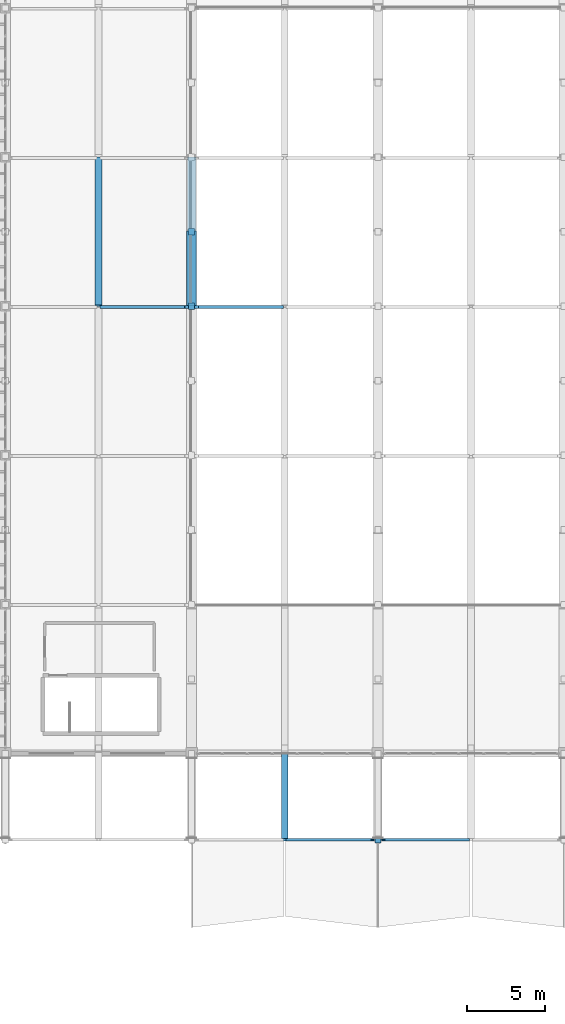
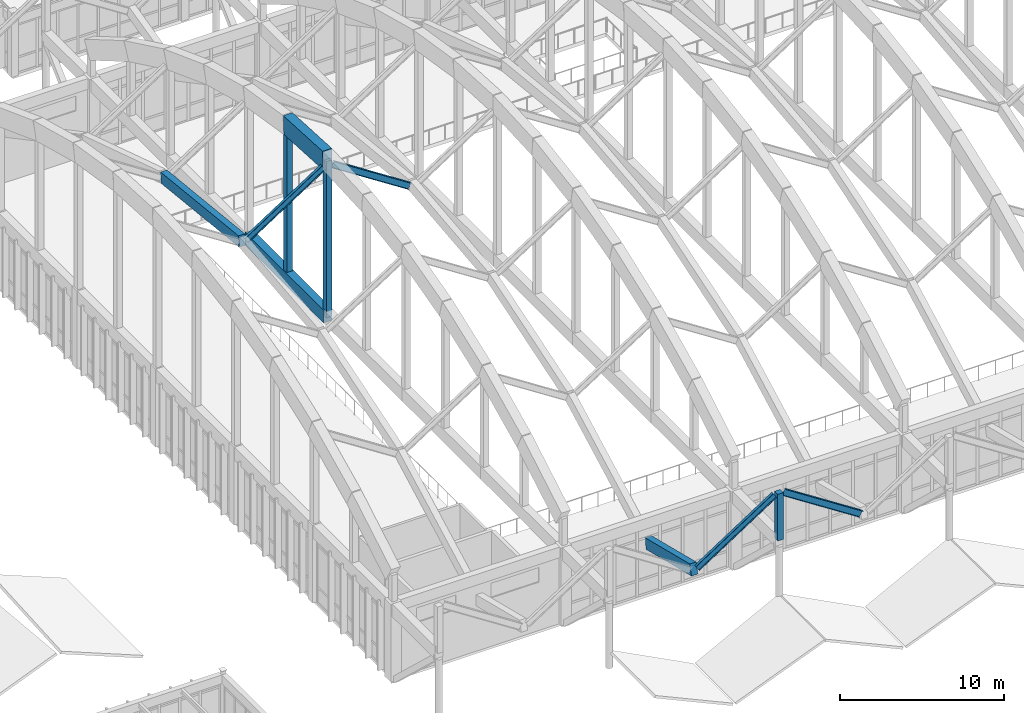
# One storey, part 47 of 236: 7 beams, 4 members.
"""IFC4 building model written with IfcOpenShell, lengths in metres."""

from ifc_helpers import new_model, si_unit, direction, frame, origin, origin_2d, place, context, subcontext, project, spatial, rectangle, i_section, extrude, material, material_profile, profile_set, type_object, element, save


model = new_model("IFC4")

# Units and contexts
model_context = context("Model", 3, precision=1e-05, world=origin(), true_north=direction((0.0, 1.0)))
body_context = subcontext(model_context, "Body", "Model", "MODEL_VIEW")
ifc_project = project(units=[si_unit("LENGTHUNIT", "METRE"), si_unit("AREAUNIT", "SQUARE_METRE"), si_unit("VOLUMEUNIT", "CUBIC_METRE"), si_unit("PLANEANGLEUNIT", "RADIAN"), si_unit("MASSUNIT", "GRAM", prefix="KILO")], contexts=[model_context])

# Site, building, storey
site_placement = place(None, origin())
site = spatial("IfcSite", under=ifc_project, at=site_placement, CompositionType="ELEMENT")
building_placement = place(site_placement, origin())
building = spatial("IfcBuilding", under=site, at=building_placement, Name="Pandanus Reach Market Hall", CompositionType="ELEMENT")
storey_placement = place(building_placement, frame((0.0, 0.0, 5.39990234375)))
storey = spatial("IfcBuildingStorey", under=building, at=storey_placement, Name="L01", CompositionType="ELEMENT", Elevation=5.39990234375)

# Members
ifc_material_1 = material(Name="Concrete N50 (50 MPa)", Category="concrete")
ifc_material_profile_1 = material_profile(ifc_material_1, rectangle(XDim=0.64990234375, YDim=1.35009765625, at=origin_2d()), Name="RC650x1350", Category="LoadBearing")
ifc_profile_set_1 = profile_set([ifc_material_profile_1], Name="Concrete N50 (50 MPa)")
member_type_1 = type_object("IfcMemberType", Name="AR-RC650-E", PredefinedType="CHORD", material=ifc_profile_set_1)
member_1_placement = place(storey_placement, frame((60.0, 57.60009765625, 16.97998046875), z_axis=(0.0, 0.998587639649, -0.053129332201), x_axis=(-1.0, 0.0, 0.0)))
element("IfcMember", 1, at=member_1_placement, inside=storey, type_object=member_type_1, Name="Parabolic arch top chord A2.7", PredefinedType="CHORD", context=body_context, shape_type="SweptSolid", body=[
    extrude(rectangle(XDim=0.64990234375, YDim=1.35009765625, at=origin_2d()), origin(), (0.0, 0.0, 1.0), 4.806640625),
])
ifc_material_profile_2 = material_profile(ifc_material_1, rectangle(XDim=0.39990234375, YDim=0.39990234375, at=origin_2d()), Name="RC400x400", Category="LoadBearing")
ifc_profile_set_2 = profile_set([ifc_material_profile_2], Name="Concrete N50 (50 MPa)")
member_type_2 = type_object("IfcMemberType", Name="AR-WEB400-E", PredefinedType="STRUT", material=ifc_profile_set_2)
member_2_placement = place(storey_placement, frame((60.0, 57.60009765625, 5.3251953125), z_axis=(0.0, 0.0, 1.0), x_axis=(1.0, 0.0, 0.0)))
element("IfcMember", 2, at=member_2_placement, inside=storey, type_object=member_type_2, Name="Arch truss vertical web strut A2.6", PredefinedType="STRUT", context=body_context, shape_type="SweptSolid", body=[
    extrude(rectangle(XDim=0.39990234375, YDim=0.39990234375, at=origin_2d()), origin(), (0.0, 0.0, 1.0), 11.65478515625),
])
member_3_placement = place(storey_placement, frame((60.0, 62.39990234375, 5.3251953125), z_axis=(0.0, 0.0, 1.0), x_axis=(1.0, 0.0, 0.0)))
element("IfcMember", 3, at=member_3_placement, inside=storey, type_object=member_type_2, Name="Arch truss vertical web strut A2.7", PredefinedType="STRUT", context=body_context, shape_type="SweptSolid", body=[
    extrude(rectangle(XDim=0.39990234375, YDim=0.39990234375, at=origin_2d()), origin(), (0.0, 0.0, 1.0), 11.3994140625),
])
member_4_placement = place(storey_placement, frame((72.0, 23.239990234375, 5.3251953125), z_axis=(0.0, 0.0, 1.0), x_axis=(1.0, 0.0, 0.0)))
element("IfcMember", 4, at=member_4_placement, inside=storey, type_object=member_type_2, Name="Zigzag eaves ridge post A3.S", PredefinedType="STRUT", context=body_context, shape_type="SweptSolid", body=[
    extrude(rectangle(XDim=0.39990234375, YDim=0.39990234375, at=origin_2d()), origin(), (0.0, 0.0, 1.0), 3.474853515625),
])

# Beams
ifc_material_2 = material(Name="Concrete N40 (40 MPa)", Category="concrete")
ifc_material_profile_3 = material_profile(ifc_material_2, rectangle(XDim=0.449951171875, YDim=0.800048828125, at=origin_2d()), Name="RC450x800", Category="LoadBearing")
ifc_profile_set_3 = profile_set([ifc_material_profile_3], Name="Concrete N40 (40 MPa)")
beam_type_1 = type_object("IfcBeamType", Name="BM-RC450-I", PredefinedType="BEAM", material=ifc_profile_set_3)
beam_1_placement = place(storey_placement, frame((54.0, 57.639892578125, 12.989990234375), z_axis=(0.0, 0.99437897786, -0.105879404936), x_axis=(-1.0, 0.0, 0.0)))
element("IfcBeam", 5, at=beam_1_placement, inside=storey, type_object=beam_type_1, Name="Butterfly valley beam B1.5", PredefinedType="BEAM", context=body_context, shape_type="SweptSolid", body=[
    extrude(rectangle(XDim=0.449951171875, YDim=0.800048828125, at=origin_2d()), origin(), (0.0, 0.0, 1.0), 9.57373046875),
])
beam_2_placement = place(storey_placement, frame((66.0, 23.239990234375, 5.16015625), z_axis=(0.0, 0.97055017704, -0.240899053231), x_axis=(-1.0, 0.0, 0.0)))
element("IfcBeam", 6, at=beam_2_placement, inside=storey, type_object=beam_type_1, Name="Butterfly valley beam B2.1", PredefinedType="BEAM", context=body_context, shape_type="SweptSolid", body=[
    extrude(rectangle(XDim=0.449951171875, YDim=0.800048828125, at=origin_2d()), origin(), (0.0, 0.0, 1.0), 5.6875),
])
ifc_material_profile_4 = material_profile(ifc_material_1, rectangle(XDim=0.550048828125, YDim=0.949951171875, at=origin_2d()), Name="RC550x950", Category="LoadBearing")
ifc_profile_set_4 = profile_set([ifc_material_profile_4], Name="Concrete N50 (50 MPa)")
beam_type_2 = type_object("IfcBeamType", Name="BM-RC550-I", PredefinedType="BEAM", material=ifc_profile_set_4)
beam_3_placement = place(storey_placement, frame((60.0, 57.60009765625, 5.3251953125), z_axis=(0.0, 1.0, 0.0), x_axis=(-1.0, 0.0, 0.0)))
element("IfcBeam", 7, at=beam_3_placement, inside=storey, type_object=beam_type_2, Name="Parabolic arch tie girder A2.4", PredefinedType="BEAM", context=body_context, shape_type="SweptSolid", body=[
    extrude(rectangle(XDim=0.550048828125, YDim=0.949951171875, at=origin_2d()), origin(), (0.0, 0.0, 1.0), 9.599853515625),
])
ifc_material_3 = material(Name="Steel Grade 350 (350 MPa)", Category="steel")
ifc_material_profile_5 = material_profile(ifc_material_3, i_section(OverallWidth=0.18994140625, OverallDepth=0.45703125, WebThickness=0.009033203125, FlangeThickness=0.014404296875, at=origin_2d()), Name="460UB74.6", Category="LoadBearing")
ifc_profile_set_5 = profile_set([ifc_material_profile_5], Name="Steel Grade 350 (350 MPa)")
beam_type_3 = type_object("IfcBeamType", Name="BM-UB460-E", PredefinedType="BEAM", material=ifc_profile_set_5)
for number, where, z_axis, x_axis, name in (
    (8, (66.219970703125, 23.239990234375, 5.16015625), (0.839070527962, 0.0, 0.544022654956), (0.0, 1.0, 0.0), "Butterfly south fringe rib B2.0R"),
    (9, (72.320068359375, 23.239990234375, 8.7001953125), (0.839070527962, 0.0, -0.544022654956), (0.0, 1.0, 0.0), "Butterfly south fringe rib B3.0L"),
):
    element("IfcBeam", number, at=place(storey_placement, frame(where, z_axis=z_axis, x_axis=x_axis)), inside=storey, type_object=beam_type_3, Name=name, PredefinedType="BEAM", context=body_context, shape_type="SweptSolid", body=[
        extrude(i_section(OverallWidth=0.18994140625, OverallDepth=0.45703125, WebThickness=0.009033203125, FlangeThickness=0.014404296875, at=origin_2d()), origin(), (0.0, 0.0, 1.0), 6.507080078125),
    ])
ifc_material_profile_6 = material_profile(ifc_material_3, i_section(OverallWidth=0.18994140625, OverallDepth=0.45703125, WebThickness=0.009033203125, FlangeThickness=0.014404296875, at=origin_2d()), Name="460UB74.6", Category="LoadBearing")
ifc_profile_set_6 = profile_set([ifc_material_profile_6], Name="Steel Grade 350 (350 MPa)")
beam_type_4 = type_object("IfcBeamType", Name="BM-UB460-I", PredefinedType="BEAM", material=ifc_profile_set_6)
for number, where, z_axis, x_axis, name in (
    (10, (54.219970703125, 57.56005859375, 12.989990234375), (0.839070527962, 0.0, 0.544022654956), (0.0, 1.0, 0.0), "Butterfly transverse rib B1.4R"),
    (11, (60.320068359375, 57.56005859375, 16.530029296875), (0.839070527962, 0.0, -0.544022654956), (0.0, 1.0, 0.0), "Butterfly transverse rib B2.4L"),
):
    element("IfcBeam", number, at=place(storey_placement, frame(where, z_axis=z_axis, x_axis=x_axis)), inside=storey, type_object=beam_type_4, Name=name, PredefinedType="BEAM", context=body_context, shape_type="SweptSolid", body=[
        extrude(i_section(OverallWidth=0.18994140625, OverallDepth=0.45703125, WebThickness=0.009033203125, FlangeThickness=0.014404296875, at=origin_2d()), origin(), (0.0, 0.0, 1.0), 6.507080078125),
    ])

save(model, "model.ifc")
